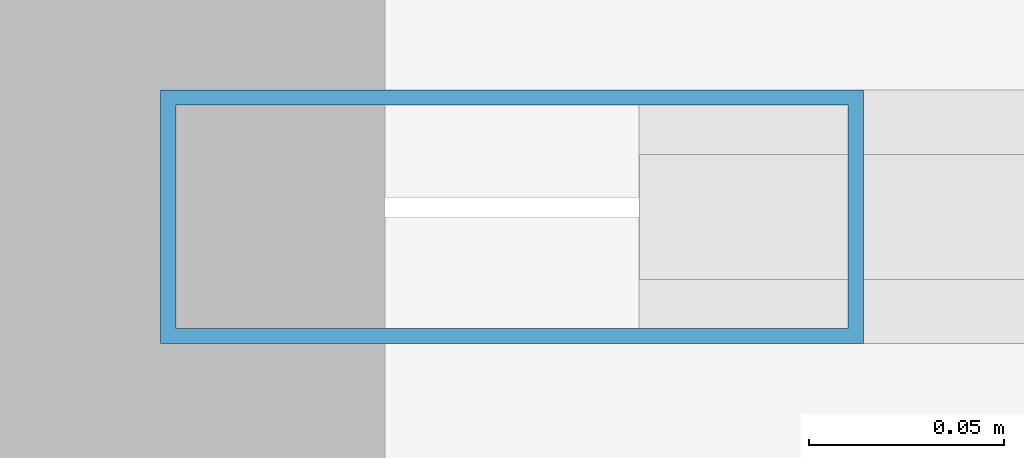
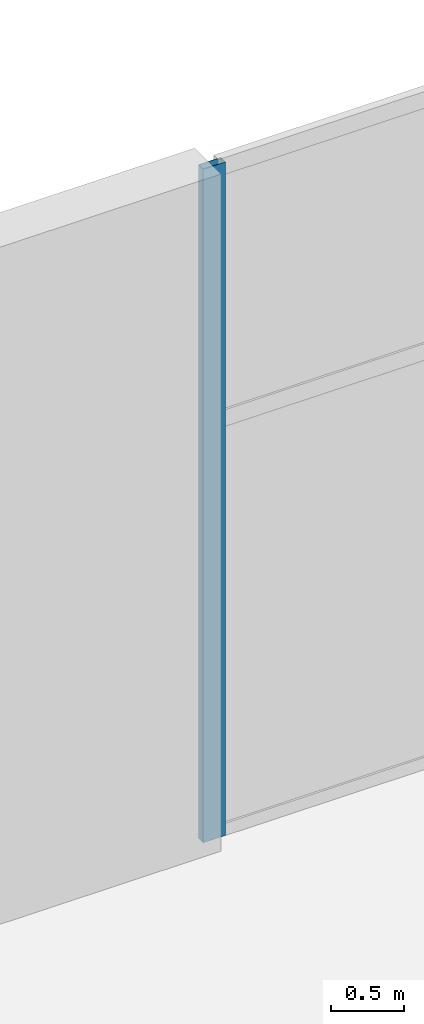
# One storey, part 15 of 30: 1 member, 1 element without a shape of its own.
"""IFC4 building model written with IfcOpenShell, lengths in metres."""

from ifc_helpers import new_model, si_unit, direction, frame, origin, origin_2d, place, context, subcontext, project, spatial, hollow_rectangle, extrude, material, layer, layer_set, material_profile, profile_set, type_object, element, aggregate, save


model = new_model("IFC4")

# Units and contexts
model_context = context("Model", 3, precision=1e-05, world=origin(), true_north=direction((0.0, 1.0)))
body_context = subcontext(model_context, "Body", "Model", "MODEL_VIEW")
ifc_project = project(units=[si_unit("LENGTHUNIT", "METRE"), si_unit("AREAUNIT", "SQUARE_METRE"), si_unit("VOLUMEUNIT", "CUBIC_METRE"), si_unit("PLANEANGLEUNIT", "RADIAN"), si_unit("MASSUNIT", "GRAM", prefix="KILO")], contexts=[model_context])

# Site, building, storey
site_placement = place(None, origin())
site = spatial("IfcSite", under=ifc_project, at=site_placement, CompositionType="ELEMENT")
building_placement = place(site_placement, origin())
building = spatial("IfcBuilding", under=site, at=building_placement, Name="Haevon Station Towers", CompositionType="ELEMENT")
storey_placement = place(building_placement, origin())
storey = spatial("IfcBuildingStorey", under=building, at=storey_placement, Name="L00", CompositionType="ELEMENT", Elevation=0.0)

# Curtain wall, member
ifc_material_1 = material(Name="Anodised aluminium and Low-E double glazing", Category="aluminium")
ifc_layer = layer(ifc_material_1, 0.179931640625)
ifc_layer_set = layer_set([ifc_layer], Name="Anodised aluminium and Low-E double glazing")
curtain_wall_type = type_object("IfcCurtainWallType", Name="CW-SYS1", PredefinedType="NOTDEFINED", material=ifc_layer_set)
curtain_wall_placement = place(storey_placement, origin())
curtain_wall = element("IfcCurtainWall", 1, at=curtain_wall_placement, inside=storey, type_object=curtain_wall_type, Name="L00 Curtain Wall CW-POD-L00-N2", PredefinedType="NOTDEFINED")
ifc_material_2 = material(Name="Anodised aluminium 6063-T6", Category="aluminium")
ifc_material_profile = material_profile(ifc_material_2, hollow_rectangle(XDim=0.06494140625, YDim=0.179931640625, WallThickness=0.00390625, at=origin_2d()), Name="CWM-180x65x4")
ifc_profile_set = profile_set([ifc_material_profile], Name="Anodised aluminium 6063-T6")
member_type = type_object("IfcMemberType", Name="CWM-180", PredefinedType="MULLION", material=ifc_profile_set)
member_placement = place(storey_placement, frame((96.032470703125, 55.5, 0.0), z_axis=(0.0, 0.0, 1.0), x_axis=(0.0, 1.0, 0.0)))
member = element("IfcMember", 2, at=member_placement, type_object=member_type, Name="CW-SYS1 mullion 1", PredefinedType="MULLION", context=body_context, shape_type="SweptSolid", body=[
    extrude(hollow_rectangle(XDim=0.06494140625, YDim=0.179931640625, WallThickness=0.00390625, at=origin_2d()), origin(), (0.0, 0.0, 1.0), 5.64990234375),
])
aggregate(curtain_wall, [member])

save(model, "model.ifc")
